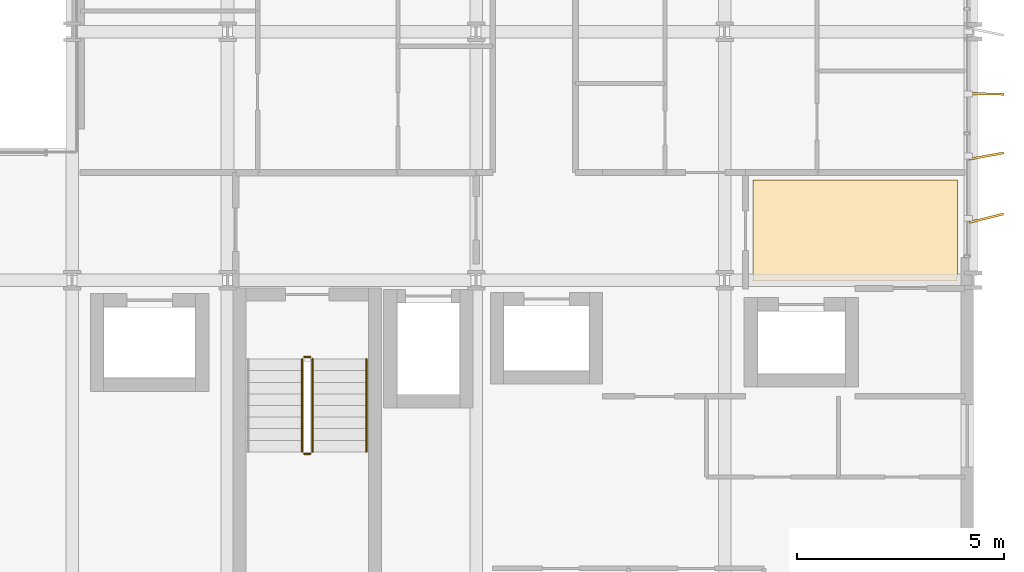
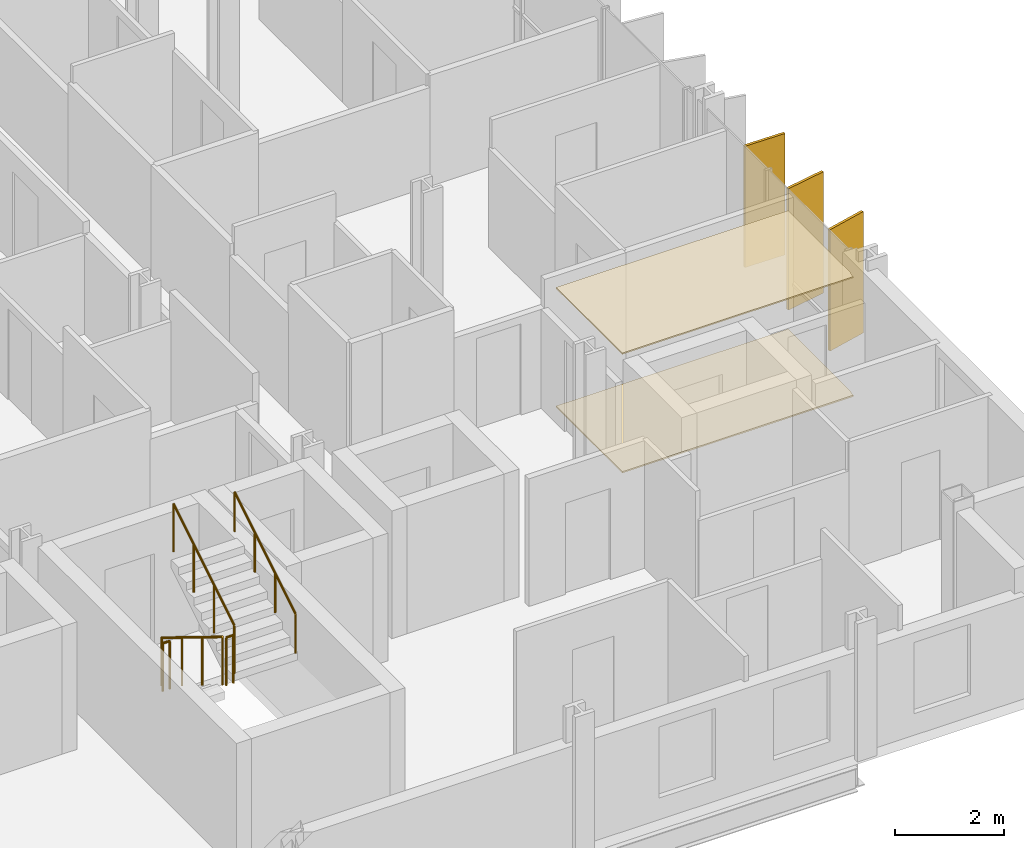
# One storey, part 37 of 38: 5 railings, 3 shading devices, 2 coverings.
"""IFC4 building model written with IfcOpenShell, lengths in metres."""

from ifc_helpers import new_model, si_unit, direction, frame, origin, origin_2d, place, context, subcontext, project, spatial, polyline, rectangle, circle, outline, extrude, material, layer, layer_set, type_object, element, save


model = new_model("IFC4")

# Units and contexts
model_context = context("Model", 3, precision=1e-05, world=origin(), true_north=direction((0.0, 1.0)))
body_context = subcontext(model_context, "Body", "Model", "MODEL_VIEW")
ifc_project = project(units=[si_unit("LENGTHUNIT", "METRE"), si_unit("AREAUNIT", "SQUARE_METRE"), si_unit("VOLUMEUNIT", "CUBIC_METRE"), si_unit("PLANEANGLEUNIT", "RADIAN"), si_unit("MASSUNIT", "GRAM", prefix="KILO")], contexts=[model_context])

# Site, building, storey
site_placement = place(None, origin())
site = spatial("IfcSite", under=ifc_project, at=site_placement, CompositionType="ELEMENT")
building_placement = place(site_placement, origin())
building = spatial("IfcBuilding", under=site, at=building_placement, Name="Brevholm Reach", CompositionType="ELEMENT")
storey_placement = place(building_placement, frame((0.0, 0.0, 46.60009765625)))
storey = spatial("IfcBuildingStorey", under=building, at=storey_placement, Name="L12", CompositionType="ELEMENT", Elevation=46.60009765625)

# Coverings
ifc_material_1 = material(Name="Moisture-Resistant Skimmed Gypsum Plasterboard Ceiling", Category="gypsum")
ifc_layer_1 = layer(ifc_material_1, 0.030029296875)
ifc_layer_set_1 = layer_set([ifc_layer_1], Name="Moisture-Resistant Skimmed Gypsum Plasterboard Ceiling")
covering_type_1 = type_object("IfcCoveringType", Name="COV-CLG-GYP", PredefinedType="CEILING", material=ifc_layer_set_1)
covering_1_placement = place(storey_placement, frame((0.0, 0.0, 2.669921875)))
element("IfcCovering", 1, at=covering_1_placement, inside=storey, type_object=covering_type_1, Name="L12 Suspended Ceiling L12-32", PredefinedType="CEILING", context=body_context, shape_type="SweptSolid", body=[
    extrude(outline(polyline([(59.6201171875, 12.419921875), (59.6201171875, 10.123779296875), (59.6171875, 10.1162109375), (59.607666015625, 10.077880859375), (59.601806640625, 10.039306640625), (59.60009765625, 10.0), (59.60107421875, 9.97998046875), (54.68408203125, 9.97998046875), (54.68408203125, 12.419921875), (59.6201171875, 12.419921875)])), origin(), (0.0, 0.0, 1.0), 0.030029296875),
])
ifc_material_2 = material(Name="Honed Portland-Aggregate Resin Terrazzo Flooring", Category="concrete")
ifc_layer_2 = layer(ifc_material_2, 0.031982421875)
ifc_layer_set_2 = layer_set([ifc_layer_2], Name="Honed Portland-Aggregate Resin Terrazzo Flooring")
covering_type_2 = type_object("IfcCoveringType", Name="COV-FLR-TRZ", PredefinedType="FLOORING", material=ifc_layer_set_2)
covering_2_placement = place(storey_placement, origin())
element("IfcCovering", 2, at=covering_2_placement, inside=storey, type_object=covering_type_2, Name="L12 Floor Finish L12-32", PredefinedType="FLOORING", context=body_context, shape_type="SweptSolid", body=[
    extrude(outline(polyline([(59.6201171875, 12.419921875), (59.6201171875, 10.123779296875), (59.6171875, 10.1162109375), (59.607666015625, 10.077880859375), (59.601806640625, 10.039306640625), (59.60009765625, 10.0), (59.60107421875, 9.97998046875), (54.68408203125, 9.97998046875), (54.68408203125, 12.419921875), (59.6201171875, 12.419921875)])), origin(), (0.0, 0.0, 1.0), 0.031982421875),
])

# Railings
ifc_material_3 = material(Name="Brushed Stainless Steel EN 1.4401 Continuous Handrail", Category="steel")
railing_type_1 = type_object("IfcRailingType", Name="RAL-HND-950", PredefinedType="HANDRAIL", material=ifc_material_3)
railing_1_placement = place(storey_placement, frame((45.35009765625, 5.860107421875, 1.72216796875)))
element("IfcRailing", 3, at=railing_1_placement, inside=storey, type_object=railing_type_1, Name="L12 ST-2 stair handrail 2", PredefinedType="HANDRAIL", context=body_context, shape_type="SweptSolid", body=[
    extrude(circle(Radius=0.02392578125, at=origin_2d()), frame((0.0, 0.0, 0.8857421875), z_axis=(0.0, 0.85178898068, 0.523885037382), x_axis=(-1.0, 0.0, 0.0)), (0.0, 0.0, 1.0), 2.629638671875),
    extrude(circle(Radius=0.02099609375, at=origin_2d()), origin(), (0.0, 0.0, 1.0), 0.86181640625),
    extrude(circle(Radius=0.02099609375, at=origin_2d()), frame((0.0, 0.74658203125, 0.459228515625)), (0.0, 0.0, 1.0), 0.86181640625),
    extrude(circle(Radius=0.02099609375, at=origin_2d()), frame((0.0, 1.493408203125, 0.91845703125)), (0.0, 0.0, 1.0), 0.86181640625),
    extrude(circle(Radius=0.02099609375, at=origin_2d()), frame((0.0, 2.239990234375, 1.377685546875)), (0.0, 0.0, 1.0), 0.86181640625),
])
ifc_material_4 = material(Name="Painted Tubular Galvanised Steel S275JR Stair Guard", Category="steel")
railing_type_2 = type_object("IfcRailingType", Name="RAL-STG-1120", PredefinedType="BALUSTRADE", material=ifc_material_4)
railing_2_placement = place(storey_placement, frame((43.800048828125, 8.10009765625, 0.172119140625)))
element("IfcRailing", 4, at=railing_2_placement, inside=storey, type_object=railing_type_2, Name="L12 ST-2 stair guard 1", PredefinedType="BALUSTRADE", context=body_context, shape_type="SweptSolid", body=[
    extrude(circle(Radius=0.02392578125, at=origin_2d()), frame((0.0, 0.0, 1.076171875), z_axis=(0.0, -0.85178898068, 0.523885037382), x_axis=(1.0, 0.0, 0.0)), (0.0, 0.0, 1.0), 2.629638671875),
    extrude(circle(Radius=0.02099609375, at=origin_2d()), origin(), (0.0, 0.0, 1.0), 1.052001953125),
    extrude(circle(Radius=0.02099609375, at=origin_2d()), frame((0.0, -0.74658203125, 0.459228515625)), (0.0, 0.0, 1.0), 1.052001953125),
    extrude(circle(Radius=0.02099609375, at=origin_2d()), frame((0.0, -1.493408203125, 0.91845703125)), (0.0, 0.0, 1.0), 1.052001953125),
    extrude(circle(Radius=0.02099609375, at=origin_2d()), frame((0.0, -2.239990234375, 1.377685546875)), (0.0, 0.0, 1.0), 1.052001953125),
])
railing_3_placement = place(storey_placement, frame((43.85009765625, 5.81005859375, 1.5498046875)))
element("IfcRailing", 5, at=railing_3_placement, inside=storey, type_object=railing_type_2, Name="L12 ST-2 stair guard 2", PredefinedType="BALUSTRADE", context=body_context, shape_type="SweptSolid", body=[
    extrude(circle(Radius=0.02392578125, at=origin_2d()), frame((0.0, 0.0, 1.076171875), z_axis=(1.0, 0.0, 0.0), x_axis=(0.0, 1.0, 0.0)), (0.0, 0.0, 1.0), 0.14990234375),
    extrude(circle(Radius=0.02099609375, at=origin_2d()), origin(), (0.0, 0.0, 1.0), 1.052001953125),
    extrude(circle(Radius=0.02099609375, at=origin_2d()), frame((0.14990234375, 0.0, 0.0)), (0.0, 0.0, 1.0), 1.052001953125),
])
railing_4_placement = place(storey_placement, frame((44.050048828125, 5.860107421875, 1.72216796875)))
element("IfcRailing", 6, at=railing_4_placement, inside=storey, type_object=railing_type_2, Name="L12 ST-2 stair guard 3", PredefinedType="BALUSTRADE", context=body_context, shape_type="SweptSolid", body=[
    extrude(circle(Radius=0.02392578125, at=origin_2d()), frame((0.0, 0.0, 1.076171875), z_axis=(0.0, 0.85178898068, 0.523885037382), x_axis=(-1.0, 0.0, 0.0)), (0.0, 0.0, 1.0), 2.629638671875),
    extrude(circle(Radius=0.02099609375, at=origin_2d()), origin(), (0.0, 0.0, 1.0), 1.052001953125),
    extrude(circle(Radius=0.02099609375, at=origin_2d()), frame((0.0, 0.74658203125, 0.459228515625)), (0.0, 0.0, 1.0), 1.052001953125),
    extrude(circle(Radius=0.02099609375, at=origin_2d()), frame((0.0, 1.493408203125, 0.91845703125)), (0.0, 0.0, 1.0), 1.052001953125),
    extrude(circle(Radius=0.02099609375, at=origin_2d()), frame((0.0, 2.239990234375, 1.377685546875)), (0.0, 0.0, 1.0), 1.052001953125),
])
railing_5_placement = place(storey_placement, frame((43.85009765625, 8.14990234375, 0.0)))
element("IfcRailing", 7, at=railing_5_placement, inside=storey, type_object=railing_type_2, Name="L12 ST-2 stair guard 4", PredefinedType="BALUSTRADE", context=body_context, shape_type="SweptSolid", body=[
    extrude(circle(Radius=0.02392578125, at=origin_2d()), frame((0.0, 0.0, 1.076171875), z_axis=(1.0, 0.0, 0.0), x_axis=(0.0, 1.0, 0.0)), (0.0, 0.0, 1.0), 0.14990234375),
    extrude(circle(Radius=0.02099609375, at=origin_2d()), origin(), (0.0, 0.0, 1.0), 1.052001953125),
    extrude(circle(Radius=0.02099609375, at=origin_2d()), frame((0.14990234375, 0.0, 0.0)), (0.0, 0.0, 1.0), 1.052001953125),
])

# Shading devices
ifc_material_5 = material(Name="Perforated Champagne-Bronze Anodised Aluminium", Category="aluminium")
ifc_layer_3 = layer(ifc_material_5, 0.054931640625)
ifc_layer_set_3 = layer_set([ifc_layer_3], Name="Perforated Champagne-Bronze Anodised Aluminium")
shading_device_type = type_object("IfcShadingDeviceType", Name="SHD-FIN-850", PredefinedType="USERDEFINED", material=ifc_layer_set_3)
for number, where, z_axis, x_axis, name in (
    (8, (60.31494140625, 11.5, 0.06982421875), (0.0, 0.0, 1.0), (0.971067630938, 0.238804640125, 0.0), "L12 Perforated Solar Screen Fin 1"),
    (9, (60.31494140625, 13.0, 0.06982421875), (0.0, 0.0, 1.0), (0.983621842917, 0.180244473246, 0.0), "L12 Perforated Solar Screen Fin 2"),
    (10, (60.31494140625, 14.5, 0.06982421875), (0.0, 0.0, 1.0), (0.999885249157, -0.015148878432, 0.0), "L12 Perforated Solar Screen Fin 3"),
):
    element("IfcShadingDevice", number, at=place(storey_placement, frame(where, z_axis=z_axis, x_axis=x_axis)), inside=storey, type_object=shading_device_type, Name=name, ObjectType="SCREEN", PredefinedType="USERDEFINED", context=body_context, shape_type="SweptSolid", body=[
        extrude(rectangle(XDim=0.85009765625, YDim=0.054931640625, at=origin_2d()), origin(), (0.0, 0.0, 1.0), 2.72998046875),
    ])

save(model, "model.ifc")
